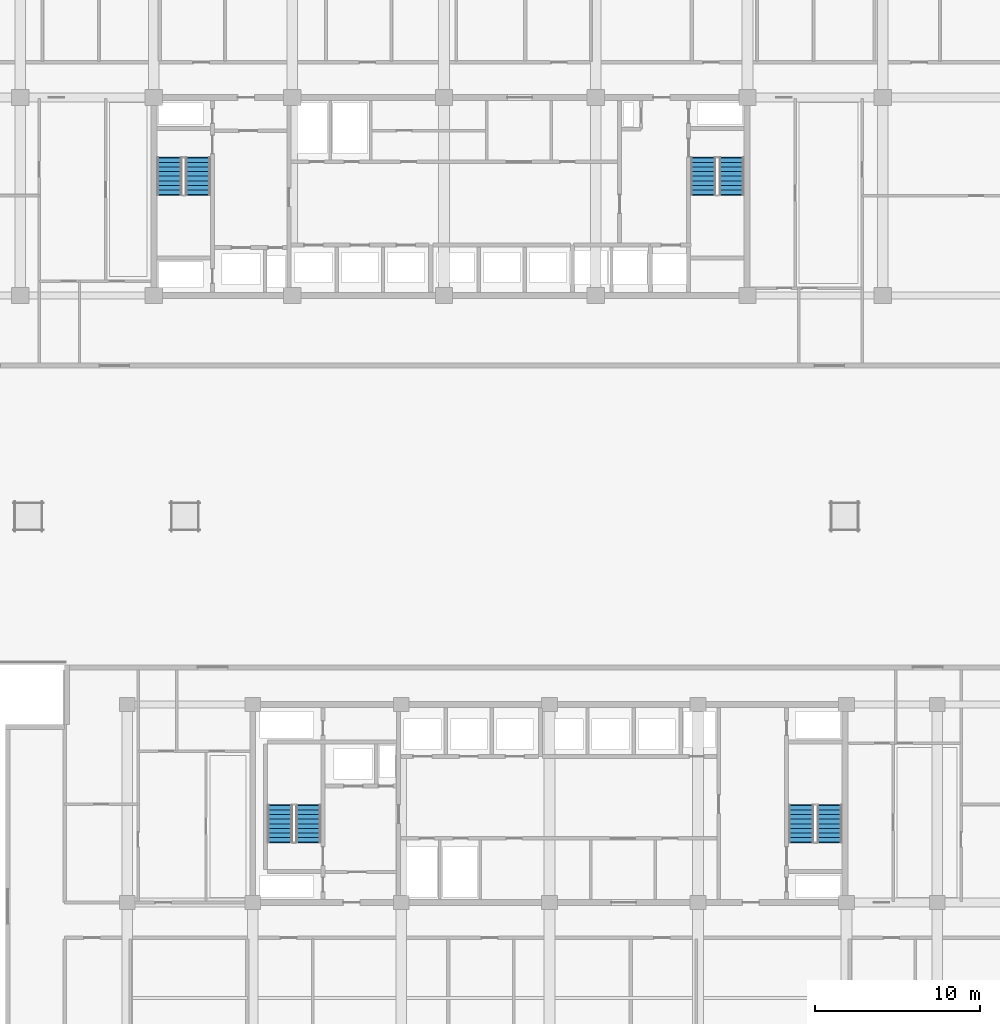
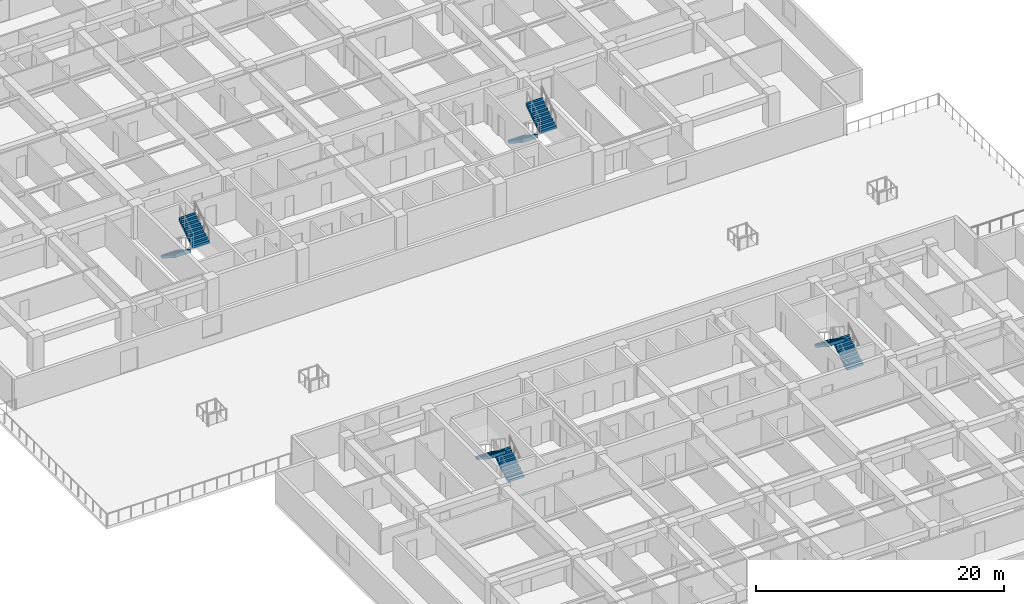
# One storey, part 18 of 24: 8 stair flights, 4 elements without a shape of their own.
"""IFC4 building model written with IfcOpenShell, lengths in metres."""

import ifcopenshell
import ifcopenshell.guid

model = None  # the IFC model being written
_history = None  # IfcOwnerHistory: only IFC2X3 demands one
_inside = {}  # id of a spatial element -> (the spatial element, [elements in it])
_under = {}  # id of a project, library or spatial element -> (it, [spatial elements below it])
_declared = {}  # id of a project -> (the project, [libraries it declares])
_typed = {}  # id of a type object -> (the type object, [elements of that type])
_made_of = {}  # id of a material, layer set ... -> (it, [elements and type objects made of it])


def new_model(schema):
    """Start an empty IFC model of exactly this schema.

    Asked for "IFC4X3", IfcOpenShell would pick the latest addendum, in which some entities
    have other attributes; the version numbers below select the first issue.
    IFC2X3 requires an IfcOwnerHistory on every rooted entity: one is made here for all.
    """
    global model, _history
    if schema == "IFC4X3":
        model = ifcopenshell.file(schema_version=(4, 3, 0, 0))
    else:
        model = ifcopenshell.file(schema=schema)
    _inside.clear()
    _under.clear()
    _declared.clear()
    _typed.clear()
    _made_of.clear()
    _history = None
    if model.schema == "IFC2X3":
        org = make("IfcOrganization", Name="unknown")
        user = make(
            "IfcPersonAndOrganization",
            ThePerson=make("IfcPerson", FamilyName="unknown"),
            TheOrganization=org,
        )
        app = make(
            "IfcApplication",
            ApplicationDeveloper=org,
            Version="unknown",
            ApplicationFullName="unknown",
            ApplicationIdentifier="unknown",
        )
        _history = make(
            "IfcOwnerHistory",
            OwningUser=user,
            OwningApplication=app,
            ChangeAction="ADDED",
            CreationDate=0,
        )
    return model


def make(cls, **values):
    """One entity of the class cls with the attributes given. An attribute that is None is left unset."""
    return model.create_entity(
        cls, **{name: value for name, value in values.items() if value is not None}
    )


def rooted(cls, **values):
    """An entity with a GlobalId (a new one), such as an element, a storey or a relation."""
    return make(cls, GlobalId=ifcopenshell.guid.new(), OwnerHistory=_history, **values)


def si_unit(unit_type, name, prefix=None):
    """IfcSIUnit, for example si_unit("LENGTHUNIT", "METRE", prefix="MILLI")."""
    return make("IfcSIUnit", UnitType=unit_type, Prefix=prefix, Name=name)


def assignment(units):
    """IfcUnitAssignment: the units of a project."""
    return None if units is None else make("IfcUnitAssignment", Units=units)


def point(xyz):
    """IfcCartesianPoint."""
    return None if xyz is None else make("IfcCartesianPoint", Coordinates=xyz)


def direction(xyz):
    """IfcDirection."""
    return None if xyz is None else make("IfcDirection", DirectionRatios=xyz)


def frame(location, z_axis=None, x_axis=None):
    """IfcAxis2Placement3D, a coordinate frame: its origin and axes. An axis left out is left unset."""
    return make(
        "IfcAxis2Placement3D",
        Location=point(location),
        Axis=direction(z_axis),
        RefDirection=direction(x_axis),
    )


def origin():
    """The frame at (0, 0, 0) with its axes left unset."""
    return frame((0.0, 0.0, 0.0))


def place(relative_to, where):
    """IfcLocalPlacement: puts the frame where relative to a parent placement (None: the world)."""
    return make(
        "IfcLocalPlacement", PlacementRelTo=relative_to, RelativePlacement=where
    )


def context(
    kind, dimensions, precision=None, world=None, true_north=None, identifier=None
):
    """IfcGeometricRepresentationContext, for example the 3D "Model" context."""
    return make(
        "IfcGeometricRepresentationContext",
        ContextIdentifier=identifier,
        ContextType=kind,
        CoordinateSpaceDimension=dimensions,
        Precision=precision,
        WorldCoordinateSystem=world,
        TrueNorth=true_north,
    )


def subcontext(parent, identifier, kind, view, scale=None):
    """IfcGeometricRepresentationSubContext, for example "Body" below "Model"."""
    return make(
        "IfcGeometricRepresentationSubContext",
        ContextIdentifier=identifier,
        ContextType=kind,
        ParentContext=parent,
        TargetScale=scale,
        TargetView=view,
    )


def project(units=None, contexts=None):
    """IfcProject with its units and contexts."""
    return rooted(
        "IfcProject",
        Name="project",
        RepresentationContexts=contexts,
        UnitsInContext=assignment(units),
    )


def spatial(cls, under=None, at=None, **own):
    """A site, building, storey or space (cls), placed at a placement, below another one or the project."""
    s = rooted(cls, ObjectPlacement=at, **own)
    if under is not None:
        _under.setdefault(under.id(), (under, []))[1].append(s)
    return s


def polyline(points):
    """IfcPolyline through the points."""
    return make("IfcPolyline", Points=[point(p) for p in points])


def outline(outer, holes=None, kind="AREA"):
    """IfcArbitraryClosedProfileDef: a profile drawn as a closed curve; with holes, ...WithVoids."""
    if holes is None:
        return make("IfcArbitraryClosedProfileDef", ProfileType=kind, OuterCurve=outer)
    return make(
        "IfcArbitraryProfileDefWithVoids",
        ProfileType=kind,
        OuterCurve=outer,
        InnerCurves=holes,
    )


def extrude(swept, where, along, depth):
    """IfcExtrudedAreaSolid: the profile swept, set in the frame where, extruded along a direction by depth."""
    return make(
        "IfcExtrudedAreaSolid",
        SweptArea=swept,
        Position=where,
        ExtrudedDirection=direction(along),
        Depth=depth,
    )


def shape(context_of_items, identifier, shape_type, items):
    """IfcShapeRepresentation: the items that make up one representation, for example the "Body"."""
    return make(
        "IfcShapeRepresentation",
        ContextOfItems=context_of_items,
        RepresentationIdentifier=identifier,
        RepresentationType=shape_type,
        Items=items,
    )


def material(Name=None, Category=None):
    """IfcMaterial."""
    return make("IfcMaterial", Name=Name, Category=Category)


def made_of(thing, what):
    """Note that an element or type object is made of a material, layer set ...; save() writes the relation."""
    if what is not None:
        _made_of.setdefault(what.id(), (what, []))[1].append(thing)
    return thing


def type_object(cls, material=None, **own):
    """A type object (cls), such as IfcWallType, which elements share."""
    return made_of(rooted(cls, **own), material)


def element(
    cls,
    number,
    at=None,
    inside=None,
    cuts=None,
    type_object=None,
    material=None,
    context=None,
    identifier="Body",
    shape_type=None,
    held_by="IfcProductDefinitionShape",
    body=None,
    shapes=None,
    **own,
):
    """One element of the class cls, such as IfcWall. Its Tag is "e" and its number.

    at: its placement. inside: the storey or other place that contains it. cuts: it is an
    opening in that element (IfcRelVoidsElement). A single representation is given by context,
    identifier, shape_type and body (its items); several are given by shapes. held_by: the class
    of the entity that holds the representations. save() writes the other relations.
    """
    e = rooted(cls, Tag="e%d" % number, ObjectPlacement=at, **own)
    if body is not None:
        shapes = [shape(context, identifier, shape_type, body)]
    if shapes is not None:
        e.Representation = make(held_by, Representations=shapes)
    if inside is not None:
        _inside.setdefault(inside.id(), (inside, []))[1].append(e)
    if cuts is not None:
        rooted(
            "IfcRelVoidsElement", RelatingBuildingElement=cuts, RelatedOpeningElement=e
        )
    if type_object is not None:
        _typed.setdefault(type_object.id(), (type_object, []))[1].append(e)
    return made_of(e, material)


def aggregate(whole, parts):
    """IfcRelAggregates: a whole, such as a stair, and the parts it consists of."""
    return rooted("IfcRelAggregates", RelatingObject=whole, RelatedObjects=parts)


def save(model, path):
    """Write the relations noted so far, then the file.

    IfcRelAggregates (storeys below a building ...), IfcRelContainedInSpatialStructure (elements
    in a storey), IfcRelDefinesByType, IfcRelAssociatesMaterial and IfcRelDeclares: one each for
    every whole, place, type object, material and project.
    """
    for whole, parts in _under.values():
        aggregate(whole, parts)
    for where, things in _inside.values():
        rooted(
            "IfcRelContainedInSpatialStructure",
            RelatedElements=things,
            RelatingStructure=where,
        )
    for kind, things in _typed.values():
        rooted("IfcRelDefinesByType", RelatedObjects=things, RelatingType=kind)
    for what, things in _made_of.values():
        rooted("IfcRelAssociatesMaterial", RelatedObjects=things, RelatingMaterial=what)
    for by, libraries in _declared.values():
        rooted("IfcRelDeclares", RelatingContext=by, RelatedDefinitions=libraries)
    model.write(path)


model = new_model("IFC4")

# Units and contexts
model_context = context("Model", 3, precision=1e-05, world=origin(), true_north=direction((0.0, 1.0)))
body_context = subcontext(model_context, "Body", "Model", "MODEL_VIEW")
ifc_project = project(units=[si_unit("LENGTHUNIT", "METRE"), si_unit("AREAUNIT", "SQUARE_METRE"), si_unit("VOLUMEUNIT", "CUBIC_METRE"), si_unit("PLANEANGLEUNIT", "RADIAN"), si_unit("MASSUNIT", "GRAM", prefix="KILO")], contexts=[model_context])

# Site, building, storey
site_placement = place(None, origin())
site = spatial("IfcSite", under=ifc_project, at=site_placement, CompositionType="ELEMENT")
building_placement = place(site_placement, origin())
building = spatial("IfcBuilding", under=site, at=building_placement, Name="Korimba Cascade Residences", CompositionType="ELEMENT")
storey_placement = place(building_placement, frame((0.0, 0.0, 24.0)))
storey = spatial("IfcBuildingStorey", under=building, at=storey_placement, Name="L05", CompositionType="ELEMENT", Elevation=24.0)

# Stair, stair flights
ifc_material = material(Name="Concrete C50/60", Category="concrete")
stair_type_1 = type_object("IfcStairType", Name="STR-W1-18R-1806", PredefinedType="HALF_TURN_STAIR", material=ifc_material)
stair_1_placement = place(storey_placement, origin())
stair_1 = element("IfcStair", 1, at=stair_1_placement, inside=storey, type_object=stair_type_1, Name="L05 Tower 1 West Fire Stair ST-W1", PredefinedType="HALF_TURN_STAIR")
stair_flight_type = type_object("IfcStairFlightType", Name="STF-DL-18R-1806-1520", PredefinedType="STRAIGHT", material=ifc_material)
stair_flight_1_placement = place(storey_placement, frame((77.06005859375, 63.550048828125, 0.0), z_axis=(0.0, 0.0, 1.0), x_axis=(0.0, -1.0, 0.0)))
stair_flight_1 = element("IfcStairFlight", 2, at=stair_flight_1_placement, type_object=stair_flight_type, Name="ST-W1 flight 1", NumberOfRisers=9, NumberOfTreads=8, PredefinedType="STRAIGHT", RiserHeight=0.180555556, TreadLength=0.28, context=body_context, shape_type="SweptSolid", body=[
    extrude(outline(polyline([(-0.0380859375, 0.0), (0.0, 0.1806640625), (0.280029296875, 0.1806640625), (0.280029296875, 0.361083984375), (0.56005859375, 0.361083984375), (0.56005859375, 0.541748046875), (0.840087890625, 0.541748046875), (0.840087890625, 0.72216796875), (1.1201171875, 0.72216796875), (1.1201171875, 0.90283203125), (1.39990234375, 0.90283203125), (1.39990234375, 1.083251953125), (1.679931640625, 1.083251953125), (1.679931640625, 1.263916015625), (1.9599609375, 1.263916015625), (1.9599609375, 1.4443359375), (2.239990234375, 1.4443359375), (2.239990234375, 1.625), (2.278076171875, 1.625), (2.278076171875, 1.26611328125), (0.276611328125, 0.0), (0.276611328125, -0.0380859375), (-0.0380859375, -0.0380859375), (-0.0380859375, 0.0)])), frame((0.0, 0.760009765625, 0.0), z_axis=(0.0, -1.0, 0.0), x_axis=(1.0, 0.0, 0.0)), (0.0, 0.0, 1.0), 1.52001953125),
])
stair_flight_2_placement = place(storey_placement, frame((78.780029296875, 61.31005859375, 1.625), z_axis=(0.0, 0.0, 1.0), x_axis=(0.0, 1.0, 0.0)))
stair_flight_2 = element("IfcStairFlight", 3, at=stair_flight_2_placement, type_object=stair_flight_type, Name="ST-W1 flight 2", NumberOfRisers=9, NumberOfTreads=8, PredefinedType="STRAIGHT", RiserHeight=0.180555556, TreadLength=0.28, context=body_context, shape_type="SweptSolid", body=[
    extrude(outline(polyline([(-0.0380859375, 0.0), (0.0, 0.1806640625), (0.280029296875, 0.1806640625), (0.280029296875, 0.361083984375), (0.56005859375, 0.361083984375), (0.56005859375, 0.541748046875), (0.840087890625, 0.541748046875), (0.840087890625, 0.72216796875), (1.1201171875, 0.72216796875), (1.1201171875, 0.90283203125), (1.39990234375, 0.90283203125), (1.39990234375, 1.083251953125), (1.679931640625, 1.083251953125), (1.679931640625, 1.263916015625), (1.9599609375, 1.263916015625), (1.9599609375, 1.4443359375), (2.239990234375, 1.4443359375), (2.239990234375, 1.625), (2.278076171875, 1.625), (2.278076171875, 1.26611328125), (0.276611328125, 0.0), (0.276611328125, -0.0380859375), (-0.0380859375, -0.0380859375), (-0.0380859375, 0.0)])), frame((0.0, 0.760009765625, 0.0), z_axis=(0.0, -1.0, 0.0), x_axis=(1.0, 0.0, 0.0)), (0.0, 0.0, 1.0), 1.52001953125),
])
aggregate(stair_1, [stair_flight_1, stair_flight_2])

stair_type_2 = type_object("IfcStairType", Name="STR-W2-18R-1806", PredefinedType="HALF_TURN_STAIR", material=ifc_material)
stair_2_placement = place(storey_placement, origin())
stair_2 = element("IfcStair", 4, at=stair_2_placement, inside=storey, type_object=stair_type_2, Name="L05 Tower 1 East Fire Stair ST-W2", PredefinedType="HALF_TURN_STAIR")
stair_flight_3_placement = place(storey_placement, frame((109.419921875, 63.550048828125, 0.0), z_axis=(0.0, 0.0, 1.0), x_axis=(0.0, -1.0, 0.0)))
stair_flight_3 = element("IfcStairFlight", 5, at=stair_flight_3_placement, type_object=stair_flight_type, Name="ST-W2 flight 1", NumberOfRisers=9, NumberOfTreads=8, PredefinedType="STRAIGHT", RiserHeight=0.180555556, TreadLength=0.28, context=body_context, shape_type="SweptSolid", body=[
    extrude(outline(polyline([(-0.0380859375, 0.0), (0.0, 0.1806640625), (0.280029296875, 0.1806640625), (0.280029296875, 0.361083984375), (0.56005859375, 0.361083984375), (0.56005859375, 0.541748046875), (0.840087890625, 0.541748046875), (0.840087890625, 0.72216796875), (1.1201171875, 0.72216796875), (1.1201171875, 0.90283203125), (1.39990234375, 0.90283203125), (1.39990234375, 1.083251953125), (1.679931640625, 1.083251953125), (1.679931640625, 1.263916015625), (1.9599609375, 1.263916015625), (1.9599609375, 1.4443359375), (2.239990234375, 1.4443359375), (2.239990234375, 1.625), (2.278076171875, 1.625), (2.278076171875, 1.26611328125), (0.276611328125, 0.0), (0.276611328125, -0.0380859375), (-0.0380859375, -0.0380859375), (-0.0380859375, 0.0)])), frame((0.0, 0.760009765625, 0.0), z_axis=(0.0, -1.0, 0.0), x_axis=(1.0, 0.0, 0.0)), (0.0, 0.0, 1.0), 1.52001953125),
])
stair_flight_4_placement = place(storey_placement, frame((111.139892578125, 61.31005859375, 1.625), z_axis=(0.0, 0.0, 1.0), x_axis=(0.0, 1.0, 0.0)))
stair_flight_4 = element("IfcStairFlight", 6, at=stair_flight_4_placement, type_object=stair_flight_type, Name="ST-W2 flight 2", NumberOfRisers=9, NumberOfTreads=8, PredefinedType="STRAIGHT", RiserHeight=0.180555556, TreadLength=0.28, context=body_context, shape_type="SweptSolid", body=[
    extrude(outline(polyline([(-0.0380859375, 0.0), (0.0, 0.1806640625), (0.280029296875, 0.1806640625), (0.280029296875, 0.361083984375), (0.56005859375, 0.361083984375), (0.56005859375, 0.541748046875), (0.840087890625, 0.541748046875), (0.840087890625, 0.72216796875), (1.1201171875, 0.72216796875), (1.1201171875, 0.90283203125), (1.39990234375, 0.90283203125), (1.39990234375, 1.083251953125), (1.679931640625, 1.083251953125), (1.679931640625, 1.263916015625), (1.9599609375, 1.263916015625), (1.9599609375, 1.4443359375), (2.239990234375, 1.4443359375), (2.239990234375, 1.625), (2.278076171875, 1.625), (2.278076171875, 1.26611328125), (0.276611328125, 0.0), (0.276611328125, -0.0380859375), (-0.0380859375, -0.0380859375), (-0.0380859375, 0.0)])), frame((0.0, 0.760009765625, 0.0), z_axis=(0.0, -1.0, 0.0), x_axis=(1.0, 0.0, 0.0)), (0.0, 0.0, 1.0), 1.52001953125),
])
aggregate(stair_2, [stair_flight_3, stair_flight_4])

stair_type_3 = type_object("IfcStairType", Name="STR-E1-18R-1806", PredefinedType="HALF_TURN_STAIR", material=ifc_material)
stair_3_placement = place(storey_placement, origin())
stair_3 = element("IfcStair", 7, at=stair_3_placement, inside=storey, type_object=stair_type_3, Name="L05 Tower 2 West Fire Stair ST-E1", PredefinedType="HALF_TURN_STAIR")
stair_flight_5_placement = place(storey_placement, frame((85.47998046875, 22.050048828125, 0.0), z_axis=(0.0, 0.0, 1.0), x_axis=(0.0, 1.0, 0.0)))
stair_flight_5 = element("IfcStairFlight", 8, at=stair_flight_5_placement, type_object=stair_flight_type, Name="ST-E1 flight 1", NumberOfRisers=9, NumberOfTreads=8, PredefinedType="STRAIGHT", RiserHeight=0.180555556, TreadLength=0.28, context=body_context, shape_type="SweptSolid", body=[
    extrude(outline(polyline([(-0.0380859375, 0.0), (0.0, 0.1806640625), (0.280029296875, 0.1806640625), (0.280029296875, 0.361083984375), (0.56005859375, 0.361083984375), (0.56005859375, 0.541748046875), (0.840087890625, 0.541748046875), (0.840087890625, 0.72216796875), (1.1201171875, 0.72216796875), (1.1201171875, 0.90283203125), (1.39990234375, 0.90283203125), (1.39990234375, 1.083251953125), (1.679931640625, 1.083251953125), (1.679931640625, 1.263916015625), (1.9599609375, 1.263916015625), (1.9599609375, 1.4443359375), (2.239990234375, 1.4443359375), (2.239990234375, 1.625), (2.278076171875, 1.625), (2.278076171875, 1.26611328125), (0.276611328125, 0.0), (0.276611328125, -0.0380859375), (-0.0380859375, -0.0380859375), (-0.0380859375, 0.0)])), frame((0.0, 0.760009765625, 0.0), z_axis=(0.0, -1.0, 0.0), x_axis=(1.0, 0.0, 0.0)), (0.0, 0.0, 1.0), 1.52001953125),
])
stair_flight_6_placement = place(storey_placement, frame((83.760009765625, 24.2900390625, 1.625), z_axis=(0.0, 0.0, 1.0), x_axis=(0.0, -1.0, 0.0)))
stair_flight_6 = element("IfcStairFlight", 9, at=stair_flight_6_placement, type_object=stair_flight_type, Name="ST-E1 flight 2", NumberOfRisers=9, NumberOfTreads=8, PredefinedType="STRAIGHT", RiserHeight=0.180555556, TreadLength=0.28, context=body_context, shape_type="SweptSolid", body=[
    extrude(outline(polyline([(-0.0380859375, 0.0), (0.0, 0.1806640625), (0.280029296875, 0.1806640625), (0.280029296875, 0.361083984375), (0.56005859375, 0.361083984375), (0.56005859375, 0.541748046875), (0.840087890625, 0.541748046875), (0.840087890625, 0.72216796875), (1.1201171875, 0.72216796875), (1.1201171875, 0.90283203125), (1.39990234375, 0.90283203125), (1.39990234375, 1.083251953125), (1.679931640625, 1.083251953125), (1.679931640625, 1.263916015625), (1.9599609375, 1.263916015625), (1.9599609375, 1.4443359375), (2.239990234375, 1.4443359375), (2.239990234375, 1.625), (2.278076171875, 1.625), (2.278076171875, 1.26611328125), (0.276611328125, 0.0), (0.276611328125, -0.0380859375), (-0.0380859375, -0.0380859375), (-0.0380859375, 0.0)])), frame((0.0, 0.760009765625, 0.0), z_axis=(0.0, -1.0, 0.0), x_axis=(1.0, 0.0, 0.0)), (0.0, 0.0, 1.0), 1.52001953125),
])
aggregate(stair_3, [stair_flight_5, stair_flight_6])

stair_type_4 = type_object("IfcStairType", Name="STR-E2-18R-1806", PredefinedType="HALF_TURN_STAIR", material=ifc_material)
stair_4_placement = place(storey_placement, origin())
stair_4 = element("IfcStair", 10, at=stair_4_placement, inside=storey, type_object=stair_type_4, Name="L05 Tower 2 East Fire Stair ST-E2", PredefinedType="HALF_TURN_STAIR")
stair_flight_7_placement = place(storey_placement, frame((117.080078125, 22.050048828125, 0.0), z_axis=(0.0, 0.0, 1.0), x_axis=(0.0, 1.0, 0.0)))
stair_flight_7 = element("IfcStairFlight", 11, at=stair_flight_7_placement, type_object=stair_flight_type, Name="ST-E2 flight 1", NumberOfRisers=9, NumberOfTreads=8, PredefinedType="STRAIGHT", RiserHeight=0.180555556, TreadLength=0.28, context=body_context, shape_type="SweptSolid", body=[
    extrude(outline(polyline([(-0.0380859375, 0.0), (0.0, 0.1806640625), (0.280029296875, 0.1806640625), (0.280029296875, 0.361083984375), (0.56005859375, 0.361083984375), (0.56005859375, 0.541748046875), (0.840087890625, 0.541748046875), (0.840087890625, 0.72216796875), (1.1201171875, 0.72216796875), (1.1201171875, 0.90283203125), (1.39990234375, 0.90283203125), (1.39990234375, 1.083251953125), (1.679931640625, 1.083251953125), (1.679931640625, 1.263916015625), (1.9599609375, 1.263916015625), (1.9599609375, 1.4443359375), (2.239990234375, 1.4443359375), (2.239990234375, 1.625), (2.278076171875, 1.625), (2.278076171875, 1.26611328125), (0.276611328125, 0.0), (0.276611328125, -0.0380859375), (-0.0380859375, -0.0380859375), (-0.0380859375, 0.0)])), frame((0.0, 0.760009765625, 0.0), z_axis=(0.0, -1.0, 0.0), x_axis=(1.0, 0.0, 0.0)), (0.0, 0.0, 1.0), 1.52001953125),
])
stair_flight_8_placement = place(storey_placement, frame((115.360107421875, 24.2900390625, 1.625), z_axis=(0.0, 0.0, 1.0), x_axis=(0.0, -1.0, 0.0)))
stair_flight_8 = element("IfcStairFlight", 12, at=stair_flight_8_placement, type_object=stair_flight_type, Name="ST-E2 flight 2", NumberOfRisers=9, NumberOfTreads=8, PredefinedType="STRAIGHT", RiserHeight=0.180555556, TreadLength=0.28, context=body_context, shape_type="SweptSolid", body=[
    extrude(outline(polyline([(-0.0380859375, 0.0), (0.0, 0.1806640625), (0.280029296875, 0.1806640625), (0.280029296875, 0.361083984375), (0.56005859375, 0.361083984375), (0.56005859375, 0.541748046875), (0.840087890625, 0.541748046875), (0.840087890625, 0.72216796875), (1.1201171875, 0.72216796875), (1.1201171875, 0.90283203125), (1.39990234375, 0.90283203125), (1.39990234375, 1.083251953125), (1.679931640625, 1.083251953125), (1.679931640625, 1.263916015625), (1.9599609375, 1.263916015625), (1.9599609375, 1.4443359375), (2.239990234375, 1.4443359375), (2.239990234375, 1.625), (2.278076171875, 1.625), (2.278076171875, 1.26611328125), (0.276611328125, 0.0), (0.276611328125, -0.0380859375), (-0.0380859375, -0.0380859375), (-0.0380859375, 0.0)])), frame((0.0, 0.760009765625, 0.0), z_axis=(0.0, -1.0, 0.0), x_axis=(1.0, 0.0, 0.0)), (0.0, 0.0, 1.0), 1.52001953125),
])
aggregate(stair_4, [stair_flight_7, stair_flight_8])

save(model, "model.ifc")
